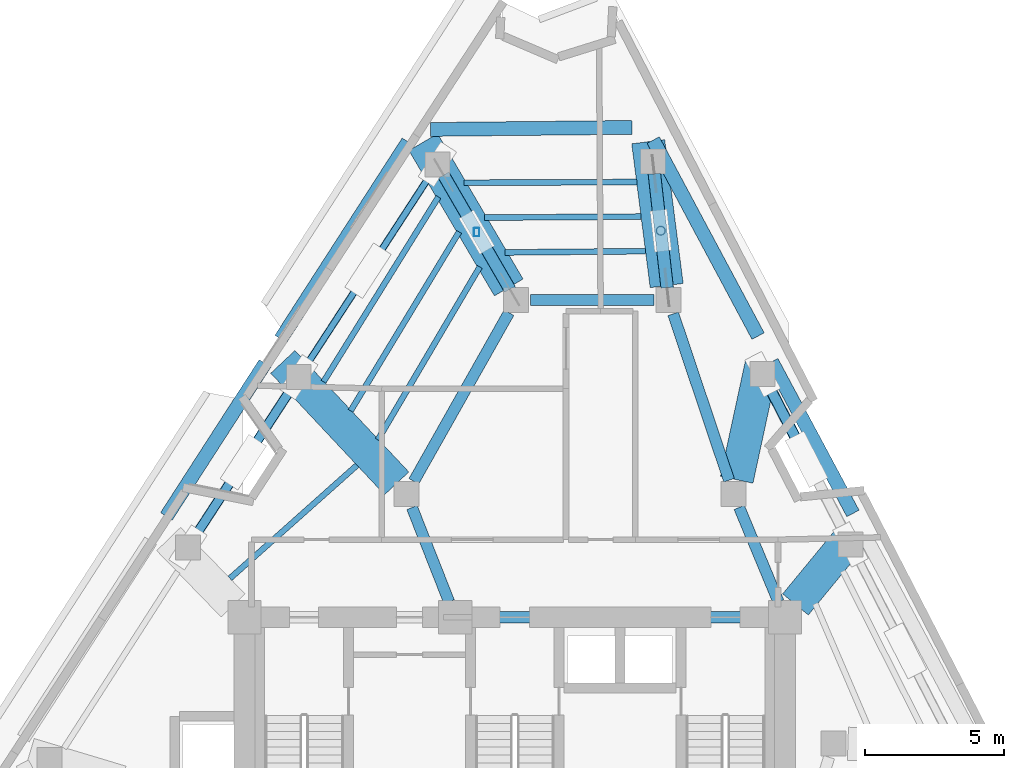
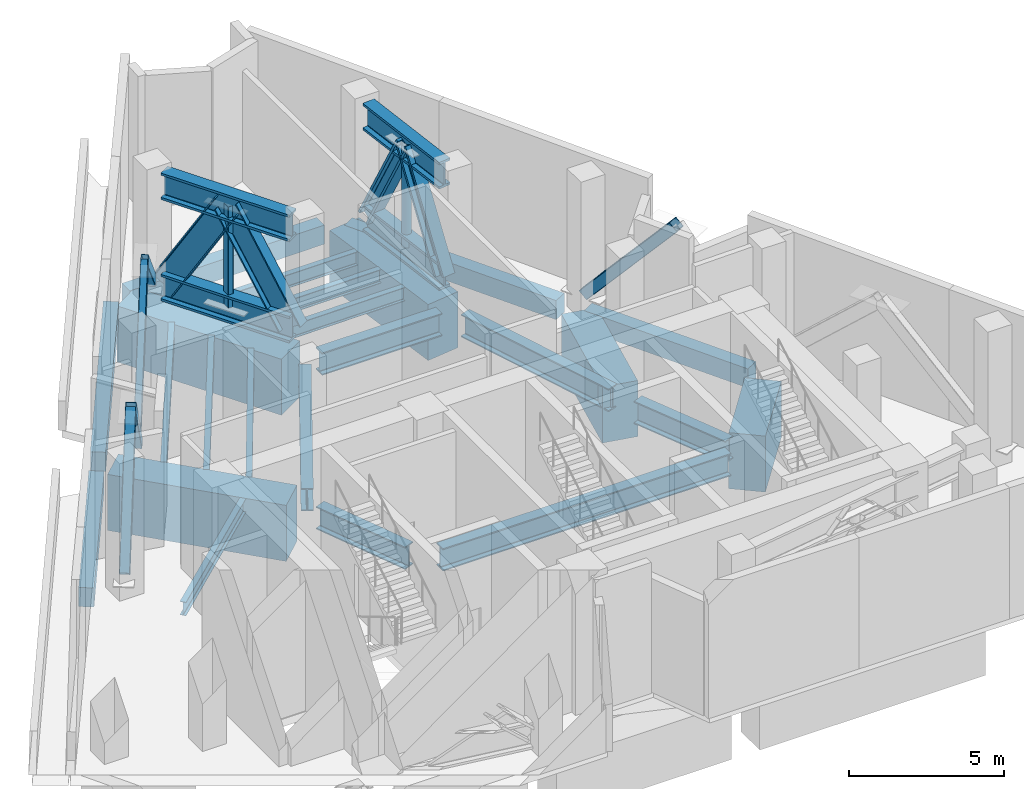
# One storey, part 3 of 8: 27 beams, 11 members.
"""IFC4 building model written with IfcOpenShell, lengths in metres."""

from ifc_helpers import new_model, si_unit, direction, frame, origin, origin_2d, place, context, subcontext, project, spatial, rectangle, hollow_rectangle, hollow_circle, i_section, extrude, material, material_profile, profile_set, type_object, element, save


model = new_model("IFC4")

# Units and contexts
model_context = context("Model", 3, precision=1e-05, world=origin(), true_north=direction((0.0, 1.0)))
body_context = subcontext(model_context, "Body", "Model", "MODEL_VIEW")
ifc_project = project(units=[si_unit("LENGTHUNIT", "METRE"), si_unit("AREAUNIT", "SQUARE_METRE"), si_unit("VOLUMEUNIT", "CUBIC_METRE"), si_unit("PLANEANGLEUNIT", "RADIAN"), si_unit("MASSUNIT", "GRAM", prefix="KILO")], contexts=[model_context])

# Site, building, storey
site_placement = place(None, origin())
site = spatial("IfcSite", under=ifc_project, at=site_placement, CompositionType="ELEMENT")
building_placement = place(site_placement, origin())
building = spatial("IfcBuilding", under=site, at=building_placement, Name="Almagre Mirador Tower", CompositionType="ELEMENT")
storey_placement = place(building_placement, frame((0.0, 0.0, 201.60009765625)))
storey = spatial("IfcBuildingStorey", under=building, at=storey_placement, Name="L52", CompositionType="ELEMENT", Elevation=201.60009765625)

# Beams
ifc_material_1 = material(Name="Steel ASTM A992 Grade 50", Category="steel")
ifc_material_profile_1 = material_profile(ifc_material_1, i_section(OverallWidth=0.208984375, OverallDepth=0.532958984375, WebThickness=0.01025390625, FlangeThickness=0.015625, FilletRadius=0.01806640625, at=origin_2d()), Name="W21X62")
ifc_profile_set_1 = profile_set([ifc_material_profile_1], Name="Steel ASTM A992 Grade 50")
beam_type_1 = type_object("IfcBeamType", Name="BM-JST-W21X62", PredefinedType="JOIST", material=ifc_profile_set_1)
beam_1_placement = place(storey_placement, frame((41.703369140625, 30.456787109375, -0.566650390625), z_axis=(-0.999991724892, -0.004068187271, 0.0), x_axis=(0.004068187271, -0.999991724892, 0.0)))
element("IfcBeam", 1, at=beam_1_placement, inside=storey, type_object=beam_type_1, Name="L52 secondary floor joist PC08-PC09.1", PredefinedType="JOIST", context=body_context, shape_type="SweptSolid", body=[
    extrude(i_section(OverallWidth=0.208984375, OverallDepth=0.532958984375, WebThickness=0.01025390625, FlangeThickness=0.015625, FilletRadius=0.01806640625, at=origin_2d()), origin(), (0.0, 0.0, 1.0), 6.2412109375),
])
beam_2_placement = place(storey_placement, frame((41.86328125, 29.20947265625, -0.566650390625), z_axis=(-0.999980175094, -0.006296778468, 0.0), x_axis=(0.006296778468, -0.999980175094, 0.0)))
element("IfcBeam", 2, at=beam_2_placement, inside=storey, type_object=beam_type_1, Name="L52 secondary floor joist PC08-PC09.2", PredefinedType="JOIST", context=body_context, shape_type="SweptSolid", body=[
    extrude(i_section(OverallWidth=0.208984375, OverallDepth=0.532958984375, WebThickness=0.01025390625, FlangeThickness=0.015625, FilletRadius=0.01806640625, at=origin_2d()), origin(), (0.0, 0.0, 1.0), 5.66064453125),
])
beam_3_placement = place(storey_placement, frame((42.023193359375, 27.961669921875, -0.566650390625), z_axis=(-0.999960479081, -0.008890459853, 0.0), x_axis=(0.008890459853, -0.999960479081, 0.0)))
element("IfcBeam", 3, at=beam_3_placement, inside=storey, type_object=beam_type_1, Name="L52 secondary floor joist PC08-PC09.3", PredefinedType="JOIST", context=body_context, shape_type="SweptSolid", body=[
    extrude(i_section(OverallWidth=0.208984375, OverallDepth=0.532958984375, WebThickness=0.01025390625, FlangeThickness=0.015625, FilletRadius=0.01806640625, at=origin_2d()), origin(), (0.0, 0.0, 1.0), 5.080322265625),
])
beam_4_placement = place(storey_placement, frame((34.54541015625, 29.919189453125, -0.566650390625), z_axis=(-0.527971690704, -0.849261970075, 0.0), x_axis=(0.849261970075, -0.527971690704, 0.0)))
element("IfcBeam", 4, at=beam_4_placement, inside=storey, type_object=beam_type_1, Name="L52 secondary floor joist PC09-PC10.1", PredefinedType="JOIST", context=body_context, shape_type="SweptSolid", body=[
    extrude(i_section(OverallWidth=0.208984375, OverallDepth=0.532958984375, WebThickness=0.01025390625, FlangeThickness=0.015625, FilletRadius=0.01806640625, at=origin_2d()), origin(), (0.0, 0.0, 1.0), 7.85400390625),
])
beam_5_placement = place(storey_placement, frame((35.291748046875, 28.656982421875, -0.566650390625), z_axis=(-0.518257279778, -0.855224761076, 0.0), x_axis=(0.855224761076, -0.518257279778, 0.0)))
element("IfcBeam", 5, at=beam_5_placement, inside=storey, type_object=beam_type_1, Name="L52 secondary floor joist PC09-PC10.2", PredefinedType="JOIST", context=body_context, shape_type="SweptSolid", body=[
    extrude(i_section(OverallWidth=0.208984375, OverallDepth=0.532958984375, WebThickness=0.01025390625, FlangeThickness=0.015625, FilletRadius=0.01806640625, at=origin_2d()), origin(), (0.0, 0.0, 1.0), 7.549560546875),
])
beam_6_placement = place(storey_placement, frame((36.03857421875, 27.394287109375, -0.566650390625), z_axis=(-0.50779591277, -0.861477400153, 0.0), x_axis=(0.861477400153, -0.50779591277, 0.0)))
element("IfcBeam", 6, at=beam_6_placement, inside=storey, type_object=beam_type_1, Name="L52 secondary floor joist PC09-PC10.3", PredefinedType="JOIST", context=body_context, shape_type="SweptSolid", body=[
    extrude(i_section(OverallWidth=0.208984375, OverallDepth=0.532958984375, WebThickness=0.01025390625, FlangeThickness=0.015625, FilletRadius=0.01806640625, at=origin_2d()), origin(), (0.0, 0.0, 1.0), 7.245849609375),
])
beam_7_placement = place(storey_placement, frame((31.6064453125, 20.236083984375, -0.566650390625), z_axis=(-0.746774773344, -0.665077016516, 0.0), x_axis=(0.665077016516, -0.746774773344, 0.0)))
element("IfcBeam", 7, at=beam_7_placement, inside=storey, type_object=beam_type_1, Name="L52 secondary floor joist PC10-PC11.3", PredefinedType="JOIST", context=body_context, shape_type="SweptSolid", body=[
    extrude(i_section(OverallWidth=0.208984375, OverallDepth=0.532958984375, WebThickness=0.01025390625, FlangeThickness=0.015625, FilletRadius=0.01806640625, at=origin_2d()), origin(), (0.0, 0.0, 1.0), 6.137939453125),
])
ifc_material_2 = material(Name="Precast concrete C50/60", Category="concrete")
ifc_material_profile_2 = material_profile(ifc_material_2, rectangle(XDim=0.5, YDim=0.75, at=origin_2d()), Name="RC500X750")
ifc_profile_set_2 = profile_set([ifc_material_profile_2], Name="Precast concrete C50/60")
beam_type_2 = type_object("IfcBeamType", Name="BM-SPN-RC500X750", PredefinedType="SPANDREL", material=ifc_profile_set_2)
beam_8_placement = place(storey_placement, frame((49.50634765625, 18.496826171875, -0.675048828125), z_axis=(-0.471722643875, 0.881746985963, 0.0), x_axis=(-0.881746985963, -0.471722643875, 0.0)))
element("IfcBeam", 8, at=beam_8_placement, inside=storey, type_object=beam_type_2, Name="L52 perimeter spandrel beam PC06-PC07", PredefinedType="SPANDREL", context=body_context, shape_type="SweptSolid", body=[
    extrude(rectangle(XDim=0.5, YDim=0.75, at=origin_2d()), origin(), (0.0, 0.0, 1.0), 6.20849609375),
])
beam_9_placement = place(storey_placement, frame((46.082275390625, 24.89697265625, -0.675048828125), z_axis=(-0.471728183201, 0.881744022477, 0.0), x_axis=(-0.881744022477, -0.471728183201, 0.0)))
element("IfcBeam", 9, at=beam_9_placement, inside=storey, type_object=beam_type_2, Name="L52 perimeter spandrel beam PC07-PC08", PredefinedType="SPANDREL", context=body_context, shape_type="SweptSolid", body=[
    extrude(rectangle(XDim=0.5, YDim=0.75, at=origin_2d()), origin(), (0.0, 0.0, 1.0), 8.02294921875),
])
beam_10_placement = place(storey_placement, frame((41.52490234375, 32.4287109375, -0.675048828125), z_axis=(-0.999948885843, -0.010110672667, 0.0), x_axis=(0.010110672667, -0.999948885843, 0.0)))
element("IfcBeam", 10, at=beam_10_placement, inside=storey, type_object=beam_type_2, Name="L52 perimeter spandrel beam PC08-PC09", PredefinedType="SPANDREL", context=body_context, shape_type="SweptSolid", body=[
    extrude(rectangle(XDim=0.5, YDim=0.75, at=origin_2d()), origin(), (0.0, 0.0, 1.0), 7.268310546875),
])
beam_11_placement = place(storey_placement, frame((33.447509765625, 31.90869140625, -0.675048828125), z_axis=(-0.542037572895, -0.840354252426, 0.0), x_axis=(0.840354252426, -0.542037572895, 0.0)))
element("IfcBeam", 11, at=beam_11_placement, inside=storey, type_object=beam_type_2, Name="L52 perimeter spandrel beam PC09-PC10", PredefinedType="SPANDREL", context=body_context, shape_type="SweptSolid", body=[
    extrude(rectangle(XDim=0.5, YDim=0.75, at=origin_2d()), origin(), (0.0, 0.0, 1.0), 8.469482421875),
])
beam_12_placement = place(storey_placement, frame((28.287353515625, 23.90869140625, -0.675048828125), z_axis=(-0.542031160538, -0.840358388431, 0.0), x_axis=(0.840358388431, -0.542031160538, 0.0)))
element("IfcBeam", 12, at=beam_12_placement, inside=storey, type_object=beam_type_2, Name="L52 perimeter spandrel beam PC10-PC11", PredefinedType="SPANDREL", context=body_context, shape_type="SweptSolid", body=[
    extrude(rectangle(XDim=0.5, YDim=0.75, at=origin_2d()), origin(), (0.0, 0.0, 1.0), 6.565673828125),
])
ifc_material_3 = material(Name="Steel ASTM A992 Grade 50", Category="steel")
ifc_material_profile_3 = material_profile(ifc_material_3, i_section(OverallWidth=0.404052734375, OverallDepth=0.884033203125, WebThickness=0.0244140625, FlangeThickness=0.0439453125, FilletRadius=0.02490234375, at=origin_2d()), Name="W33X291")
ifc_profile_set_3 = profile_set([ifc_material_profile_3], Name="Steel ASTM A992 Grade 50")
beam_type_3 = type_object("IfcBeamType", Name="BM-STL-W33X291", PredefinedType="BEAM", material=ifc_profile_set_3)
beam_13_placement = place(storey_placement, frame((37.875, 26.199951171875, -0.7421875), z_axis=(1.0, 0.0, 0.0), x_axis=(0.0, 1.0, 0.0)))
element("IfcBeam", 13, at=beam_13_placement, inside=storey, type_object=beam_type_3, Name="L52 core tie girder MC7-MC6", PredefinedType="BEAM", context=body_context, shape_type="SweptSolid", body=[
    extrude(i_section(OverallWidth=0.404052734375, OverallDepth=0.884033203125, WebThickness=0.0244140625, FlangeThickness=0.0439453125, FilletRadius=0.02490234375, at=origin_2d()), origin(), (0.0, 0.0, 1.0), 4.449951171875),
])
beam_14_placement = place(storey_placement, frame((35.75, 14.75, -0.7421875), z_axis=(1.0, 0.0, 0.0), x_axis=(0.0, 1.0, 0.0)))
element("IfcBeam", 14, at=beam_14_placement, inside=storey, type_object=beam_type_3, Name="L52 core tie girder CC5-CC6", PredefinedType="BEAM", context=body_context, shape_type="SweptSolid", body=[
    extrude(i_section(OverallWidth=0.404052734375, OverallDepth=0.884033203125, WebThickness=0.0244140625, FlangeThickness=0.0439453125, FilletRadius=0.02490234375, at=origin_2d()), origin(), (0.0, 0.0, 1.0), 10.699951171875),
])
beam_15_placement = place(storey_placement, frame((45.401611328125, 18.715087890625, -0.7421875), z_axis=(0.383845645019, -0.923397271384, 0.0), x_axis=(0.923397271384, 0.383845645019, 0.0)))
element("IfcBeam", 15, at=beam_15_placement, inside=storey, type_object=beam_type_3, Name="L52 core tie girder MC5-CC6", PredefinedType="BEAM", context=body_context, shape_type="SweptSolid", body=[
    extrude(i_section(OverallWidth=0.404052734375, OverallDepth=0.884033203125, WebThickness=0.0244140625, FlangeThickness=0.0439453125, FilletRadius=0.02490234375, at=origin_2d()), origin(), (0.0, 0.0, 1.0), 3.694091796875),
])
beam_16_placement = place(storey_placement, frame((43.01708984375, 25.702392578125, -0.7421875), z_axis=(0.318262189587, -0.948002731367, 0.0), x_axis=(0.948002731367, 0.318262189587, 0.0)))
element("IfcBeam", 16, at=beam_16_placement, inside=storey, type_object=beam_type_3, Name="L52 core tie girder MC6-MC5", PredefinedType="BEAM", context=body_context, shape_type="SweptSolid", body=[
    extrude(i_section(OverallWidth=0.404052734375, OverallDepth=0.884033203125, WebThickness=0.0244140625, FlangeThickness=0.0439453125, FilletRadius=0.02490234375, at=origin_2d()), origin(), (0.0, 0.0, 1.0), 6.333984375),
])
beam_17_placement = place(storey_placement, frame((37.092041015625, 25.742919921875, -0.7421875), z_axis=(-0.491443510044, -0.870909453638, 0.0), x_axis=(0.870909453638, -0.491443510044, 0.0)))
element("IfcBeam", 17, at=beam_17_placement, inside=storey, type_object=beam_type_3, Name="L52 core tie girder MC7-MC8", PredefinedType="BEAM", context=body_context, shape_type="SweptSolid", body=[
    extrude(i_section(OverallWidth=0.404052734375, OverallDepth=0.884033203125, WebThickness=0.0244140625, FlangeThickness=0.0439453125, FilletRadius=0.02490234375, at=origin_2d()), origin(), (0.0, 0.0, 1.0), 6.98779296875),
])
beam_18_placement = place(storey_placement, frame((33.592041015625, 18.71142578125, -0.7421875), z_axis=(0.365997304164, -0.930615910752, 0.0), x_axis=(0.930615910752, 0.365997304164, 0.0)))
element("IfcBeam", 18, at=beam_18_placement, inside=storey, type_object=beam_type_3, Name="L52 core tie girder MC8-CC5", PredefinedType="BEAM", context=body_context, shape_type="SweptSolid", body=[
    extrude(i_section(OverallWidth=0.404052734375, OverallDepth=0.884033203125, WebThickness=0.0244140625, FlangeThickness=0.0439453125, FilletRadius=0.02490234375, at=origin_2d()), origin(), (0.0, 0.0, 1.0), 3.65673828125),
])
ifc_material_4 = material(Name="Steel ASTM A913 Grade 65", Category="steel")
ifc_material_profile_4 = material_profile(ifc_material_4, i_section(OverallWidth=0.446044921875, OverallDepth=1.0439453125, WebThickness=0.050048828125, FlangeThickness=0.08984375, FilletRadius=0.028076171875, at=origin_2d()), Name="W36X652")
ifc_profile_set_4 = profile_set([ifc_material_profile_4], Name="Steel ASTM A913 Grade 65")
beam_type_4 = type_object("IfcBeamType", Name="BM-STL-W36X652", PredefinedType="BEAM", material=ifc_profile_set_4)
for number, where, z_axis, x_axis, name in (
    (19, (42.339111328125, 30.7548828125, 0.64990234375), (0.111455741765, -0.993769398617, 0.0), (0.993769398617, 0.111455741765, 0.0), "L52 outrigger truss 3 bottom chord"),
    (20, (42.339111328125, 30.7548828125, 4.6279296875), (0.111455741765, -0.993769398617, 0.0), (0.993769398617, 0.111455741765, 0.0), "L52 outrigger truss 3 top chord"),
):
    element("IfcBeam", number, at=place(storey_placement, frame(where, z_axis=z_axis, x_axis=x_axis)), inside=storey, type_object=beam_type_4, Name=name, PredefinedType="BEAM", context=body_context, shape_type="SweptSolid", body=[
        extrude(i_section(OverallWidth=0.446044921875, OverallDepth=1.0439453125, WebThickness=0.050048828125, FlangeThickness=0.08984375, FilletRadius=0.028076171875, at=origin_2d()), origin(), (0.0, 0.0, 1.0), 4.13330078125),
    ])
for number, where, z_axis, x_axis, name in (
    (21, (34.73193359375, 30.7080078125, 0.64990234375), (0.502209707608, -0.864745864161, 0.0), (0.864745864161, 0.502209707608, 0.0), "L52 outrigger truss 4 bottom chord"),
    (22, (34.73193359375, 30.7080078125, 4.6279296875), (0.502209707608, -0.864745864161, 0.0), (0.864745864161, 0.502209707608, 0.0), "L52 outrigger truss 4 top chord"),
):
    element("IfcBeam", number, at=place(storey_placement, frame(where, z_axis=z_axis, x_axis=x_axis)), inside=storey, type_object=beam_type_4, Name=name, PredefinedType="BEAM", context=body_context, shape_type="SweptSolid", body=[
        extrude(i_section(OverallWidth=0.446044921875, OverallDepth=1.0439453125, WebThickness=0.050048828125, FlangeThickness=0.08984375, FilletRadius=0.028076171875, at=origin_2d()), origin(), (0.0, 0.0, 1.0), 4.76318359375),
    ])
ifc_material_5 = material(Name="Concrete C60/75", Category="concrete")
ifc_material_profile_5 = material_profile(ifc_material_5, rectangle(XDim=1.199951171875, YDim=2.199951171875, at=origin_2d()), Name="RC1200X2200")
ifc_profile_set_5 = profile_set([ifc_material_profile_5], Name="Concrete C60/75")
beam_type_5 = type_object("IfcBeamType", Name="BM-XFER-RC1200X2200", PredefinedType="BEAM", material=ifc_profile_set_5)
beam_19_placement = place(storey_placement, frame((49.42041015625, 17.628662109375, -1.400146484375), z_axis=(-0.635660759113, -0.771968522237, 0.0), x_axis=(0.771968522237, -0.635660759113, 0.0)))
element("IfcBeam", 23, at=beam_19_placement, inside=storey, type_object=beam_type_5, Name="L52 radial transfer girder PC06-CC6", PredefinedType="BEAM", context=body_context, shape_type="SweptSolid", body=[
    extrude(rectangle(XDim=1.199951171875, YDim=2.199951171875, at=origin_2d()), origin(), (0.0, 0.0, 1.0), 3.129150390625),
])
beam_20_placement = place(storey_placement, frame((46.21923828125, 23.9208984375, -1.400146484375), z_axis=(-0.21103551524, -0.977478394292, 0.0), x_axis=(0.977478394292, -0.21103551524, 0.0)))
element("IfcBeam", 24, at=beam_20_placement, inside=storey, type_object=beam_type_5, Name="L52 radial transfer girder PC07-MC5", PredefinedType="BEAM", context=body_context, shape_type="SweptSolid", body=[
    extrude(rectangle(XDim=1.199951171875, YDim=2.199951171875, at=origin_2d()), origin(), (0.0, 0.0, 1.0), 4.3046875),
])
beam_21_placement = place(storey_placement, frame((42.11669921875, 31.913330078125, -1.400146484375), z_axis=(0.127311366157, -0.99186280102, 0.0), x_axis=(0.99186280102, 0.127311366157, 0.0)))
element("IfcBeam", 25, at=beam_21_placement, inside=storey, type_object=beam_type_5, Name="L52 radial transfer girder PC08-MC6", PredefinedType="BEAM", context=body_context, shape_type="SweptSolid", body=[
    extrude(rectangle(XDim=1.199951171875, YDim=2.199951171875, at=origin_2d()), origin(), (0.0, 0.0, 1.0), 5.235107421875),
])
beam_22_placement = place(storey_placement, frame((33.998291015625, 31.8974609375, -1.400146484375), z_axis=(0.507048179997, -0.861917712524, 0.0), x_axis=(0.861917712524, 0.507048179997, 0.0)))
element("IfcBeam", 26, at=beam_22_placement, inside=storey, type_object=beam_type_5, Name="L52 radial transfer girder PC09-MC7", PredefinedType="BEAM", context=body_context, shape_type="SweptSolid", body=[
    extrude(rectangle(XDim=1.199951171875, YDim=2.199951171875, at=origin_2d()), origin(), (0.0, 0.0, 1.0), 6.085205078125),
])
beam_23_placement = place(storey_placement, frame((28.93115234375, 23.967041015625, -1.400146484375), z_axis=(0.683926262896, -0.729551140717, 0.0), x_axis=(0.729551140717, 0.683926262896, 0.0)))
element("IfcBeam", 27, at=beam_23_placement, inside=storey, type_object=beam_type_5, Name="L52 radial transfer girder PC10-MC8", PredefinedType="BEAM", context=body_context, shape_type="SweptSolid", body=[
    extrude(rectangle(XDim=1.199951171875, YDim=2.199951171875, at=origin_2d()), origin(), (0.0, 0.0, 1.0), 6.00927734375),
])

# Members
ifc_material_6 = material(Name="Steel ASTM A500 Grade C", Category="steel")
ifc_material_profile_6 = material_profile(ifc_material_6, hollow_rectangle(XDim=0.35009765625, YDim=0.35009765625, WallThickness=0.012451171875, InnerFilletRadius=0.012451171875, OuterFilletRadius=0.02490234375, at=origin_2d()), Name="HSS350X350X12.5")
ifc_profile_set_6 = profile_set([ifc_material_profile_6], Name="Steel ASTM A500 Grade C")
member_type_1 = type_object("IfcMemberType", Name="MBR-BRC-HSS350", PredefinedType="BRACE", material=ifc_profile_set_6)
for number, where, z_axis, x_axis, name in (
    (28, (29.506103515625, 23.4169921875, 0.64990234375), (-0.369724186853, -0.567900322652, 0.735386462473), (0.838046242929, -0.545599207031, 0.0), "L52 perimeter belt truss brace PC10-apex"),
    (29, (25.506103515625, 17.27294921875, 0.64990234375), (0.369724186853, 0.567900322652, 0.735386462473), (-0.838046242929, 0.545599207031, 0.0), "L52 perimeter belt truss brace PC11-apex"),
):
    element("IfcMember", number, at=place(storey_placement, frame(where, z_axis=z_axis, x_axis=x_axis)), inside=storey, type_object=member_type_1, Name=name, PredefinedType="BRACE", context=body_context, shape_type="SweptSolid", body=[
        extrude(hollow_rectangle(XDim=0.35009765625, YDim=0.35009765625, WallThickness=0.012451171875, InnerFilletRadius=0.012451171875, OuterFilletRadius=0.02490234375, at=origin_2d()), origin(), (0.0, 0.0, 1.0), 5.409423828125),
    ])
ifc_material_7 = material(Name="Steel ASTM A500 Grade C", Category="steel")
ifc_material_profile_7 = material_profile(ifc_material_7, hollow_rectangle(XDim=0.39990234375, YDim=0.39990234375, WallThickness=0.01611328125, InnerFilletRadius=0.01611328125, OuterFilletRadius=0.031982421875, at=origin_2d()), Name="HSS400X400X16")
ifc_profile_set_7 = profile_set([ifc_material_profile_7], Name="Steel ASTM A500 Grade C")
member_type_2 = type_object("IfcMemberType", Name="MBR-BRC-HSS400", PredefinedType="BRACE", material=ifc_profile_set_7)
member_1_placement = place(storey_placement, frame((46.2490234375, 23.52197265625, 0.64990234375), z_axis=(0.300576446624, -0.582945966072, 0.754869392925), x_axis=(0.888806314311, 0.45828303006, 0.0)))
element("IfcMember", 30, at=member_1_placement, inside=storey, type_object=member_type_2, Name="L52 perimeter belt truss brace PC07-apex", PredefinedType="BRACE", context=body_context, shape_type="SweptSolid", body=[
    extrude(hollow_rectangle(XDim=0.39990234375, YDim=0.39990234375, WallThickness=0.01611328125, InnerFilletRadius=0.01611328125, OuterFilletRadius=0.031982421875, at=origin_2d()), origin(), (0.0, 0.0, 1.0), 5.269775390625),
])
ifc_material_8 = material(Name="Steel ASTM A500 Grade C", Category="steel")
ifc_material_profile_8 = material_profile(ifc_material_8, hollow_rectangle(XDim=0.25, YDim=0.39990234375, WallThickness=0.012451171875, InnerFilletRadius=0.012451171875, OuterFilletRadius=0.02490234375, at=origin_2d()), Name="HSS400X250X12.5")
ifc_profile_set_8 = profile_set([ifc_material_profile_8], Name="Steel ASTM A500 Grade C")
member_type_3 = type_object("IfcMemberType", Name="MBR-BRC-HSS400R", PredefinedType="BRACE", material=ifc_profile_set_8)
member_2_placement = place(storey_placement, frame((34.506103515625, 31.096923828125, 0.64990234375), z_axis=(-0.41200588094, -0.632815282756, 0.655588264066), x_axis=(0.838034346837, -0.545617479121, 0.0)))
element("IfcMember", 31, at=member_2_placement, inside=storey, type_object=member_type_3, Name="L52 perimeter belt truss brace PC09-apex", PredefinedType="BRACE", context=body_context, shape_type="SweptSolid", body=[
    extrude(hollow_rectangle(XDim=0.25, YDim=0.39990234375, WallThickness=0.012451171875, InnerFilletRadius=0.012451171875, OuterFilletRadius=0.02490234375, at=origin_2d()), origin(), (0.0, 0.0, 1.0), 6.06787109375),
])
member_3_placement = place(storey_placement, frame((29.506103515625, 23.4169921875, 0.64990234375), z_axis=(0.411995390806, 0.63283940449, 0.655571572049), x_axis=(-0.838050208027, 0.545593116549, 0.0)))
element("IfcMember", 32, at=member_3_placement, inside=storey, type_object=member_type_3, Name="L52 perimeter belt truss brace PC10-apex", PredefinedType="BRACE", context=body_context, shape_type="SweptSolid", body=[
    extrude(hollow_rectangle(XDim=0.25, YDim=0.39990234375, WallThickness=0.012451171875, InnerFilletRadius=0.012451171875, OuterFilletRadius=0.02490234375, at=origin_2d()), origin(), (0.0, 0.0, 1.0), 6.068115234375),
])
ifc_material_9 = material(Name="Steel ASTM A913 Grade 65", Category="steel")
ifc_material_profile_9 = material_profile(ifc_material_9, i_section(OverallWidth=0.4541015625, OverallDepth=0.570068359375, WebThickness=0.077880859375, FlangeThickness=0.093994140625, FilletRadius=0.02001953125, at=origin_2d()), Name="W14X730")
ifc_profile_set_9 = profile_set([ifc_material_profile_9], Name="Steel ASTM A913 Grade 65")
member_type_4 = type_object("IfcMemberType", Name="MBR-BRC-W14X730", PredefinedType="BRACE", material=ifc_profile_set_9)
for number, where, z_axis, x_axis, name in (
    (33, (42.339111328125, 30.7548828125, 0.64990234375), (0.051410438095, -0.458173745435, 0.887374659233), (0.993763589254, 0.111507527428, 0.0), "L52 outrigger truss 3 diagonal 1"),
    (34, (42.569580078125, 28.700927734375, 4.6279296875), (0.051357403026, -0.458131998151, -0.887399284102), (0.99377520604, 0.111403949037, 0.0), "L52 outrigger truss 3 diagonal 2"),
):
    element("IfcMember", number, at=place(storey_placement, frame(where, z_axis=z_axis, x_axis=x_axis)), inside=storey, type_object=member_type_4, Name=name, PredefinedType="BRACE", context=body_context, shape_type="SweptSolid", body=[
        extrude(i_section(OverallWidth=0.4541015625, OverallDepth=0.570068359375, WebThickness=0.077880859375, FlangeThickness=0.093994140625, FilletRadius=0.02001953125, at=origin_2d()), origin(), (0.0, 0.0, 1.0), 4.48291015625),
    ])
ifc_material_10 = material(Name="Steel ASTM A913 Grade 65", Category="steel")
ifc_material_profile_10 = material_profile(ifc_material_10, i_section(OverallWidth=0.423095703125, OverallDepth=0.947998046875, WebThickness=0.02392578125, FlangeThickness=0.042724609375, FilletRadius=0.028076171875, at=origin_2d()), Name="W36X302")
ifc_profile_set_10 = profile_set([ifc_material_profile_10], Name="Steel ASTM A913 Grade 65")
member_type_5 = type_object("IfcMemberType", Name="MBR-BRC-W36X302", PredefinedType="BRACE", material=ifc_profile_set_10)
for number, where, z_axis, x_axis, name in (
    (35, (34.73193359375, 30.7080078125, 0.64990234375), (0.257963350449, -0.444208782279, 0.857982207025), (0.864758790901, 0.502187448628, 0.0), "L52 outrigger truss 4 diagonal 1"),
    (36, (35.927978515625, 28.6484375, 4.6279296875), (0.25796938417, -0.444166514691, -0.858002275089), (0.864732935703, 0.502231968229, 0.0), "L52 outrigger truss 4 diagonal 2"),
):
    element("IfcMember", number, at=place(storey_placement, frame(where, z_axis=z_axis, x_axis=x_axis)), inside=storey, type_object=member_type_5, Name=name, PredefinedType="BRACE", context=body_context, shape_type="SweptSolid", body=[
        extrude(i_section(OverallWidth=0.423095703125, OverallDepth=0.947998046875, WebThickness=0.02392578125, FlangeThickness=0.042724609375, FilletRadius=0.028076171875, at=origin_2d()), origin(), (0.0, 0.0, 1.0), 4.636474609375),
    ])
ifc_material_11 = material(Name="Steel ASTM A500 Grade C", Category="steel")
ifc_material_profile_11 = material_profile(ifc_material_11, hollow_circle(Radius=0.161865234375, WallThickness=0.0126953125, at=origin_2d()), Name="CHS323.9X12.7")
ifc_profile_set_11 = profile_set([ifc_material_profile_11], Name="Steel ASTM A500 Grade C")
member_type_6 = type_object("IfcMemberType", Name="MBR-STR-CHS324", PredefinedType="STRUT", material=ifc_profile_set_11)
member_4_placement = place(storey_placement, frame((42.569580078125, 28.700927734375, 0.64990234375), z_axis=(0.0, 0.0, 1.0), x_axis=(1.0, 0.0, 0.0)))
element("IfcMember", 37, at=member_4_placement, inside=storey, type_object=member_type_6, Name="L52 outrigger vertical post strut 3.1", PredefinedType="STRUT", context=body_context, shape_type="SweptSolid", body=[
    extrude(hollow_circle(Radius=0.161865234375, WallThickness=0.0126953125, at=origin_2d()), origin(), (0.0, 0.0, 1.0), 3.97802734375),
])
ifc_material_12 = material(Name="Steel ASTM A500 Grade C", Category="steel")
ifc_material_profile_12 = material_profile(ifc_material_12, hollow_rectangle(XDim=0.199951171875, YDim=0.300048828125, WallThickness=0.010009765625, InnerFilletRadius=0.010009765625, OuterFilletRadius=0.02001953125, at=origin_2d()), Name="HSS300X200X10")
ifc_profile_set_12 = profile_set([ifc_material_profile_12], Name="Steel ASTM A500 Grade C")
member_type_7 = type_object("IfcMemberType", Name="MBR-STR-HSS300", PredefinedType="STRUT", material=ifc_profile_set_12)
member_5_placement = place(storey_placement, frame((35.927978515625, 28.6484375, 0.64990234375), z_axis=(0.0, 0.0, 1.0), x_axis=(1.0, 0.0, 0.0)))
element("IfcMember", 38, at=member_5_placement, inside=storey, type_object=member_type_7, Name="L52 outrigger vertical post strut 4.1", PredefinedType="STRUT", context=body_context, shape_type="SweptSolid", body=[
    extrude(hollow_rectangle(XDim=0.199951171875, YDim=0.300048828125, WallThickness=0.010009765625, InnerFilletRadius=0.010009765625, OuterFilletRadius=0.02001953125, at=origin_2d()), origin(), (0.0, 0.0, 1.0), 3.97802734375),
])

save(model, "model.ifc")
